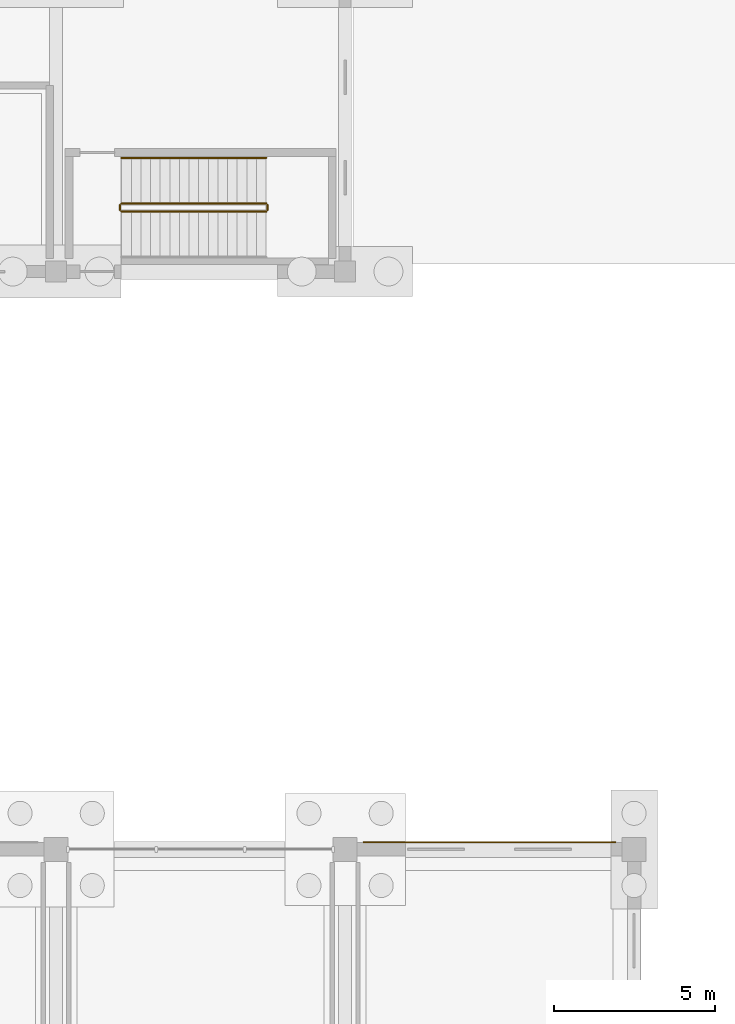
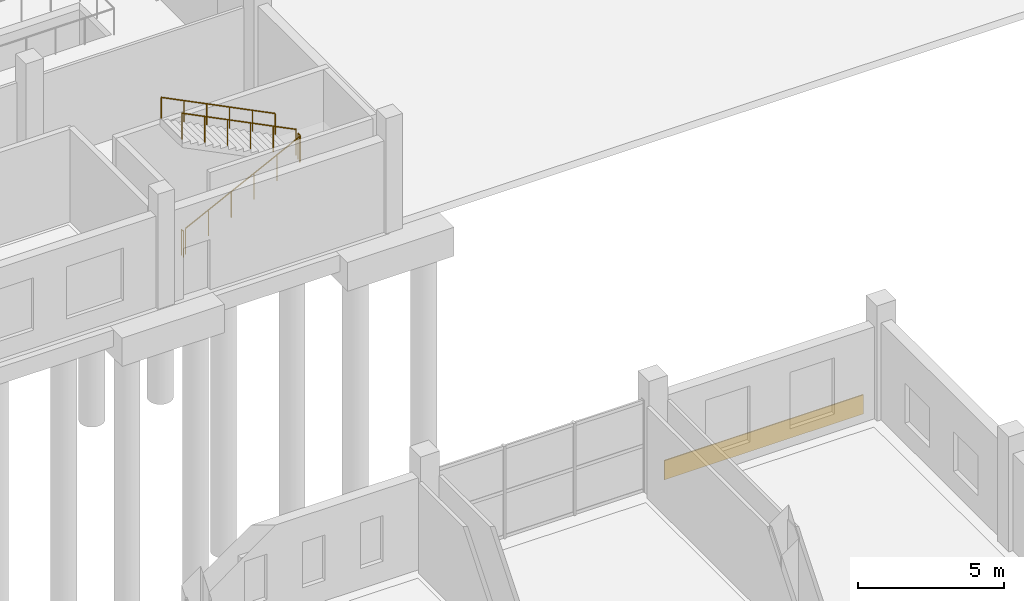
# One storey, part 97 of 112: 5 railings, 1 covering.
"""IFC4 building model written with IfcOpenShell, lengths in metres."""

from ifc_helpers import new_model, si_unit, direction, frame, origin, origin_2d, place, context, subcontext, project, spatial, rectangle, circle, extrude, material, layer, layer_set, type_object, element, save


model = new_model("IFC4")

# Units and contexts
model_context = context("Model", 3, precision=1e-05, world=origin(), true_north=direction((0.0, 1.0)))
body_context = subcontext(model_context, "Body", "Model", "MODEL_VIEW")
ifc_project = project(units=[si_unit("LENGTHUNIT", "METRE"), si_unit("AREAUNIT", "SQUARE_METRE"), si_unit("VOLUMEUNIT", "CUBIC_METRE"), si_unit("PLANEANGLEUNIT", "RADIAN"), si_unit("MASSUNIT", "GRAM", prefix="KILO")], contexts=[model_context])

# Site, building, storey
site_placement = place(None, origin())
site = spatial("IfcSite", under=ifc_project, at=site_placement, CompositionType="ELEMENT")
building_placement = place(site_placement, origin())
building = spatial("IfcBuilding", under=site, at=building_placement, Name="Tharagai Park Tramway Depot", CompositionType="ELEMENT")
storey_placement = place(building_placement, origin())
storey = spatial("IfcBuildingStorey", under=building, at=storey_placement, Name="L00", CompositionType="ELEMENT", Elevation=0.0)

# Covering
ifc_material_1 = material(Name="Charnockite stone", Category="masonry")
ifc_layer = layer(ifc_material_1, 0.0400390625)
ifc_layer_set = layer_set([ifc_layer], Name="Charnockite stone")
covering_type = type_object("IfcCoveringType", Name="CV-02", PredefinedType="CLADDING", material=ifc_layer_set)
covering_placement = place(storey_placement, frame((94.5, 27.22509765625, 0.02001953125), z_axis=(0.0, 0.0, 1.0), x_axis=(1.0, 0.0, 0.0)))
element("IfcCovering", 1, at=covering_placement, inside=storey, type_object=covering_type, Name="Charnockite Plinth Cladding CV-02 #12", PredefinedType="CLADDING", context=body_context, shape_type="SweptSolid", body=[
    extrude(rectangle(XDim=7.85400390625, YDim=0.0400390625, at=origin_2d()), origin(), (0.0, 0.0, 1.0), 0.800048828125),
])

# Railings
ifc_material_2 = material(Name="Galvanised steel", Category="steel")
railing_type_1 = type_object("IfcRailingType", Name="HR-02", PredefinedType="GUARDRAIL", material=ifc_material_2)
railing_1_placement = place(storey_placement, frame((83.0400390625, 46.8701171875, 0.14990234375)))
element("IfcRailing", 2, at=railing_1_placement, inside=storey, type_object=railing_type_1, Name="L00 ST-09 stair guard 1", PredefinedType="GUARDRAIL", context=body_context, shape_type="SweptSolid", body=[
    extrude(circle(Radius=0.02392578125, at=origin_2d()), frame((0.0, 0.0, 1.076171875), z_axis=(0.894427191, 0.0, 0.4472135955), x_axis=(0.0, 1.0, 0.0)), (0.0, 0.0, 1.0), 5.03125),
    extrude(circle(Radius=0.02099609375, at=origin_2d()), origin(), (0.0, 0.0, 1.0), 1.052001953125),
    extrude(circle(Radius=0.02099609375, at=origin_2d()), frame((0.89990234375, 0.0, 0.449951171875)), (0.0, 0.0, 1.0), 1.052001953125),
    extrude(circle(Radius=0.02099609375, at=origin_2d()), frame((1.800048828125, 0.0, 0.89990234375)), (0.0, 0.0, 1.0), 1.052001953125),
    extrude(circle(Radius=0.02099609375, at=origin_2d()), frame((2.699951171875, 0.0, 1.35009765625)), (0.0, 0.0, 1.0), 1.052001953125),
    extrude(circle(Radius=0.02099609375, at=origin_2d()), frame((3.60009765625, 0.0, 1.800048828125)), (0.0, 0.0, 1.0), 1.052001953125),
    extrude(circle(Radius=0.02099609375, at=origin_2d()), frame((4.5, 0.0, 2.25)), (0.0, 0.0, 1.0), 1.052001953125),
])
railing_2_placement = place(storey_placement, frame((87.590087890625, 46.919921875, 2.39990234375)))
element("IfcRailing", 3, at=railing_2_placement, inside=storey, type_object=railing_type_1, Name="L00 ST-09 stair guard 2", PredefinedType="GUARDRAIL", context=body_context, shape_type="SweptSolid", body=[
    extrude(circle(Radius=0.02392578125, at=origin_2d()), frame((0.0, 0.0, 1.076171875), z_axis=(0.0, 1.0, 0.0), x_axis=(-1.0, 0.0, 0.0)), (0.0, 0.0, 1.0), 0.150146484375),
    extrude(circle(Radius=0.02099609375, at=origin_2d()), origin(), (0.0, 0.0, 1.0), 1.052001953125),
    extrude(circle(Radius=0.02099609375, at=origin_2d()), frame((0.0, 0.150146484375, 0.0)), (0.0, 0.0, 1.0), 1.052001953125),
])
railing_3_placement = place(storey_placement, frame((87.5400390625, 47.1201171875, 2.550048828125)))
element("IfcRailing", 4, at=railing_3_placement, inside=storey, type_object=railing_type_1, Name="L00 ST-09 stair guard 3", PredefinedType="GUARDRAIL", context=body_context, shape_type="SweptSolid", body=[
    extrude(circle(Radius=0.02392578125, at=origin_2d()), frame((0.0, 0.0, 1.076171875), z_axis=(-0.894427191, 0.0, 0.4472135955), x_axis=(0.0, -1.0, 0.0)), (0.0, 0.0, 1.0), 5.03125),
    extrude(circle(Radius=0.02099609375, at=origin_2d()), origin(), (0.0, 0.0, 1.0), 1.052001953125),
    extrude(circle(Radius=0.02099609375, at=origin_2d()), frame((-0.89990234375, 0.0, 0.449951171875)), (0.0, 0.0, 1.0), 1.052001953125),
    extrude(circle(Radius=0.02099609375, at=origin_2d()), frame((-1.800048828125, 0.0, 0.89990234375)), (0.0, 0.0, 1.0), 1.052001953125),
    extrude(circle(Radius=0.02099609375, at=origin_2d()), frame((-2.699951171875, 0.0, 1.35009765625)), (0.0, 0.0, 1.0), 1.052001953125),
    extrude(circle(Radius=0.02099609375, at=origin_2d()), frame((-3.60009765625, 0.0, 1.800048828125)), (0.0, 0.0, 1.0), 1.052001953125),
    extrude(circle(Radius=0.02099609375, at=origin_2d()), frame((-4.5, 0.0, 2.25)), (0.0, 0.0, 1.0), 1.052001953125),
])
railing_4_placement = place(storey_placement, frame((82.989990234375, 46.919921875, 0.0)))
element("IfcRailing", 5, at=railing_4_placement, inside=storey, type_object=railing_type_1, Name="L00 ST-09 stair guard 4", PredefinedType="GUARDRAIL", context=body_context, shape_type="SweptSolid", body=[
    extrude(circle(Radius=0.02392578125, at=origin_2d()), frame((0.0, 0.0, 1.076171875), z_axis=(0.0, 1.0, 0.0), x_axis=(-1.0, 0.0, 0.0)), (0.0, 0.0, 1.0), 0.150146484375),
    extrude(circle(Radius=0.02099609375, at=origin_2d()), origin(), (0.0, 0.0, 1.0), 1.052001953125),
    extrude(circle(Radius=0.02099609375, at=origin_2d()), frame((0.0, 0.150146484375, 0.0)), (0.0, 0.0, 1.0), 1.052001953125),
])
railing_type_2 = type_object("IfcRailingType", Name="HR-03", PredefinedType="HANDRAIL", material=ifc_material_2)
railing_5_placement = place(storey_placement, frame((87.5400390625, 48.5400390625, 2.550048828125)))
element("IfcRailing", 6, at=railing_5_placement, inside=storey, type_object=railing_type_2, Name="L00 ST-09 stair handrail 2", PredefinedType="HANDRAIL", context=body_context, shape_type="SweptSolid", body=[
    extrude(circle(Radius=0.02392578125, at=origin_2d()), frame((0.0, 0.0, 0.8759765625), z_axis=(-0.894427191, 0.0, 0.4472135955), x_axis=(0.0, -1.0, 0.0)), (0.0, 0.0, 1.0), 5.03125),
    extrude(circle(Radius=0.02099609375, at=origin_2d()), origin(), (0.0, 0.0, 1.0), 0.851806640625),
    extrude(circle(Radius=0.02099609375, at=origin_2d()), frame((-0.89990234375, 0.0, 0.449951171875)), (0.0, 0.0, 1.0), 0.851806640625),
    extrude(circle(Radius=0.02099609375, at=origin_2d()), frame((-1.800048828125, 0.0, 0.89990234375)), (0.0, 0.0, 1.0), 0.851806640625),
    extrude(circle(Radius=0.02099609375, at=origin_2d()), frame((-2.699951171875, 0.0, 1.35009765625)), (0.0, 0.0, 1.0), 0.851806640625),
    extrude(circle(Radius=0.02099609375, at=origin_2d()), frame((-3.60009765625, 0.0, 1.800048828125)), (0.0, 0.0, 1.0), 0.851806640625),
    extrude(circle(Radius=0.02099609375, at=origin_2d()), frame((-4.5, 0.0, 2.25)), (0.0, 0.0, 1.0), 0.851806640625),
])

save(model, "model.ifc")
